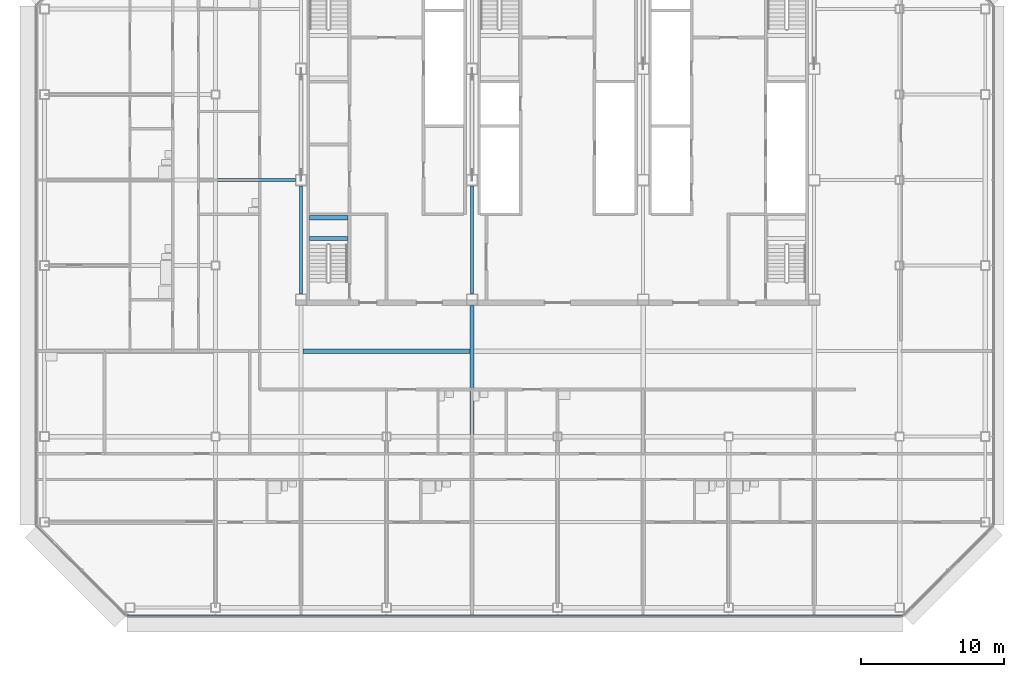
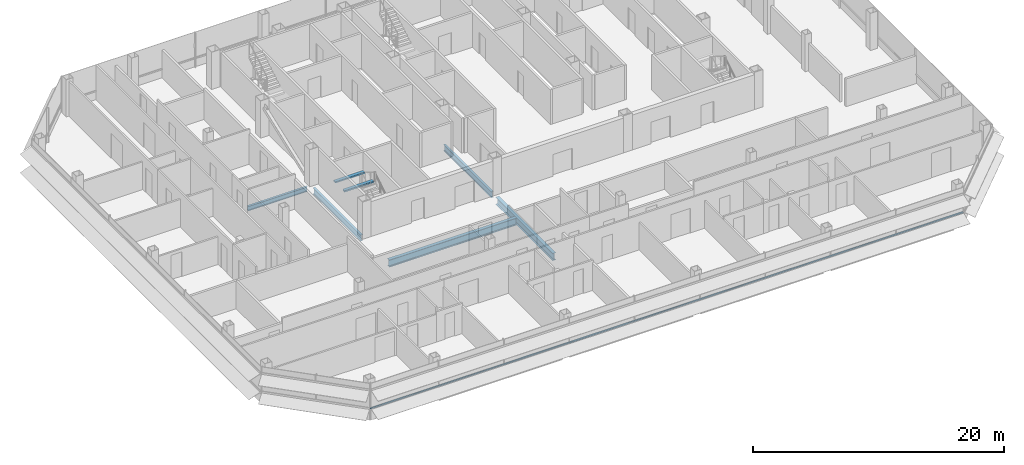
# One storey, part 7 of 27: 7 beams, 1 member, 1 element without a shape of its own.
"""IFC4 building model written with IfcOpenShell, lengths in metres."""

from ifc_helpers import new_model, si_unit, direction, frame, origin, origin_2d, place, context, subcontext, project, spatial, rectangle, i_section, extrude, material, material_profile, profile_set, type_object, element, aggregate, save


model = new_model("IFC4")

# Units and contexts
model_context = context("Model", 3, precision=1e-05, world=origin(), true_north=direction((0.0, 1.0)))
body_context = subcontext(model_context, "Body", "Model", "MODEL_VIEW")
ifc_project = project(units=[si_unit("LENGTHUNIT", "METRE"), si_unit("AREAUNIT", "SQUARE_METRE"), si_unit("VOLUMEUNIT", "CUBIC_METRE"), si_unit("PLANEANGLEUNIT", "RADIAN"), si_unit("MASSUNIT", "GRAM", prefix="KILO")], contexts=[model_context])

# Site, building, storey
site_placement = place(None, origin())
site = spatial("IfcSite", under=ifc_project, at=site_placement, CompositionType="ELEMENT")
building_placement = place(site_placement, origin())
building = spatial("IfcBuilding", under=site, at=building_placement, Name="Sorahane Residences", CompositionType="ELEMENT")
storey_placement = place(building_placement, frame((0.0, 0.0, 206.39990234375)))
storey = spatial("IfcBuildingStorey", under=building, at=storey_placement, Name="L48", CompositionType="ELEMENT", Elevation=206.39990234375)

# Curtain wall, member
ifc_material_1 = material(Name="Dark low-e glass and black anodised aluminium", Category="aluminium")
curtain_wall_type = type_object("IfcCurtainWallType", Name="Curtain wall CW-1 Typical unitised wall", PredefinedType="NOTDEFINED", material=ifc_material_1)
curtain_wall_placement = place(storey_placement, origin())
curtain_wall = element("IfcCurtainWall", 1, at=curtain_wall_placement, inside=storey, type_object=curtain_wall_type, Name="CW-1 curtain wall L48 S1", PredefinedType="NOTDEFINED")
ifc_material_2 = material(Name="Black anodised aluminium", Category="aluminium")
ifc_material_profile_1 = material_profile(ifc_material_2, rectangle(XDim=0.10009765625, YDim=0.06005859375, at=origin_2d()), Name="Curtain wall transom CW-1 black anodised aluminium 60x100")
ifc_profile_set_1 = profile_set([ifc_material_profile_1], Name="Black anodised aluminium")
member_type = type_object("IfcMemberType", Name="Curtain wall transom CW-1 black anodised aluminium 60x100", PredefinedType="USERDEFINED", material=ifc_profile_set_1)
member_placement = place(storey_placement, frame((-6.198486328125, -0.530029296875, 0.900146484375), z_axis=(1.0, 0.0, 0.0), x_axis=(0.0, 1.0, 0.0)))
member = element("IfcMember", 2, at=member_placement, type_object=member_type, Name="CW-1 transom L48 S1", ObjectType="TRANSOM", PredefinedType="USERDEFINED", context=body_context, shape_type="SweptSolid", body=[
    extrude(rectangle(XDim=0.10009765625, YDim=0.06005859375, at=origin_2d()), origin(), (0.0, 0.0, 1.0), 54.39697265625),
])
aggregate(curtain_wall, [member])

# Beams
ifc_material_3 = material(Name="Concrete C40", Category="concrete")
ifc_material_profile_2 = material_profile(ifc_material_3, rectangle(XDim=0.300048828125, YDim=0.139892578125, at=origin_2d()), Name="300x140")
ifc_profile_set_2 = profile_set([ifc_material_profile_2], Name="Concrete C40")
beam_type_1 = type_object("IfcBeamType", Name="RC landing beam 300 x 140 Concrete C40", PredefinedType="BEAM", material=ifc_profile_set_2)
for number, where, z_axis, x_axis, name in (
    (3, (6.60009765625, 25.89990234375, 1.530029296875), (1.0, 0.0, 0.0), (0.0, 1.0, 0.0), "Landing beam"),
    (4, (6.60009765625, 27.35009765625, 1.530029296875), (1.0, 0.0, 0.0), (0.0, 1.0, 0.0), "Landing beam"),
):
    element("IfcBeam", number, at=place(storey_placement, frame(where, z_axis=z_axis, x_axis=x_axis)), inside=storey, type_object=beam_type_1, Name=name, PredefinedType="BEAM", context=body_context, shape_type="SweptSolid", body=[
        extrude(rectangle(XDim=0.300048828125, YDim=0.139892578125, at=origin_2d()), origin(), (0.0, 0.0, 1.0), 2.699951171875),
    ])
ifc_material_4 = material(Name="Steel Q355B", Category="steel")
ifc_material_profile_3 = material_profile(ifc_material_4, i_section(OverallWidth=0.199951171875, OverallDepth=0.449951171875, WebThickness=0.009033203125, FlangeThickness=0.013916015625, FilletRadius=0.02001953125, at=origin_2d()), Name="HN 450x200x9x14")
ifc_profile_set_3 = profile_set([ifc_material_profile_3], Name="Steel Q355B")
beam_type_2 = type_object("IfcBeamType", Name="Steel floor beam HN 450x200x9x14 Q355B", PredefinedType="BEAM", material=ifc_profile_set_3)
beam_1_placement = place(storey_placement, frame((0.14990234375, 30.0, -0.40478515625), z_axis=(1.0, 0.0, 0.0), x_axis=(0.0, 1.0, 0.0)))
element("IfcBeam", 5, at=beam_1_placement, inside=storey, type_object=beam_type_2, Name="Beam L48 086", PredefinedType="BEAM", context=body_context, shape_type="SweptSolid", body=[
    extrude(i_section(OverallWidth=0.199951171875, OverallDepth=0.449951171875, WebThickness=0.009033203125, FlangeThickness=0.013916015625, FilletRadius=0.02001953125, at=origin_2d()), origin(), (0.0, 0.0, 1.0), 5.4501953125),
])
ifc_material_5 = material(Name="Steel Q355B", Category="steel")
ifc_material_profile_4 = material_profile(ifc_material_5, i_section(OverallWidth=0.199951171875, OverallDepth=0.60009765625, WebThickness=0.010986328125, FlangeThickness=0.01708984375, FilletRadius=0.02392578125, at=origin_2d()), Name="HN 600x200x11x17")
ifc_profile_set_4 = profile_set([ifc_material_profile_4], Name="Steel Q355B")
beam_type_3 = type_object("IfcBeamType", Name="Steel floor beam HN 600x200x11x17 Q355B", PredefinedType="BEAM", material=ifc_profile_set_4)
for number, where, z_axis, x_axis, name in (
    (6, (6.0, 22.0, -0.47998046875), (0.0, 1.0, 0.0), (-1.0, 0.0, 0.0), "Beam L48 030"),
    (7, (18.0, 22.0, -0.47998046875), (0.0, 1.0, 0.0), (-1.0, 0.0, 0.0), "Beam L48 038"),
):
    element("IfcBeam", number, at=place(storey_placement, frame(where, z_axis=z_axis, x_axis=x_axis)), inside=storey, type_object=beam_type_3, Name=name, PredefinedType="BEAM", context=body_context, shape_type="SweptSolid", body=[
        extrude(i_section(OverallWidth=0.199951171875, OverallDepth=0.60009765625, WebThickness=0.010986328125, FlangeThickness=0.01708984375, FilletRadius=0.02392578125, at=origin_2d()), origin(), (0.0, 0.0, 1.0), 7.60009765625),
    ])
ifc_material_6 = material(Name="Steel Q355B", Category="steel")
ifc_material_profile_5 = material_profile(ifc_material_6, i_section(OverallWidth=0.300048828125, OverallDepth=0.699951171875, WebThickness=0.012939453125, FlangeThickness=0.02392578125, FilletRadius=0.028076171875, at=origin_2d()), Name="HN 700x300x13x24")
ifc_profile_set_5 = profile_set([ifc_material_profile_5], Name="Steel Q355B")
beam_type_4 = type_object("IfcBeamType", Name="Steel floor beam HN 700x300x13x24 Q355B", PredefinedType="BEAM", material=ifc_profile_set_5)
beam_2_placement = place(storey_placement, frame((18.0, 12.14990234375, -0.52978515625), z_axis=(0.0, 1.0, 0.0), x_axis=(-1.0, 0.0, 0.0)))
element("IfcBeam", 8, at=beam_2_placement, inside=storey, type_object=beam_type_4, Name="Beam L48 037", PredefinedType="BEAM", context=body_context, shape_type="SweptSolid", body=[
    extrude(i_section(OverallWidth=0.300048828125, OverallDepth=0.699951171875, WebThickness=0.012939453125, FlangeThickness=0.02392578125, FilletRadius=0.028076171875, at=origin_2d()), origin(), (0.0, 0.0, 1.0), 9.050048828125),
])
beam_3_placement = place(storey_placement, frame((6.14990234375, 18.0, -0.52978515625), z_axis=(1.0, 0.0, 0.0), x_axis=(0.0, 1.0, 0.0)))
element("IfcBeam", 9, at=beam_3_placement, inside=storey, type_object=beam_type_4, Name="Beam L48 080", PredefinedType="BEAM", context=body_context, shape_type="SweptSolid", body=[
    extrude(i_section(OverallWidth=0.300048828125, OverallDepth=0.699951171875, WebThickness=0.012939453125, FlangeThickness=0.02392578125, FilletRadius=0.028076171875, at=origin_2d()), origin(), (0.0, 0.0, 1.0), 11.7001953125),
])

save(model, "model.ifc")
